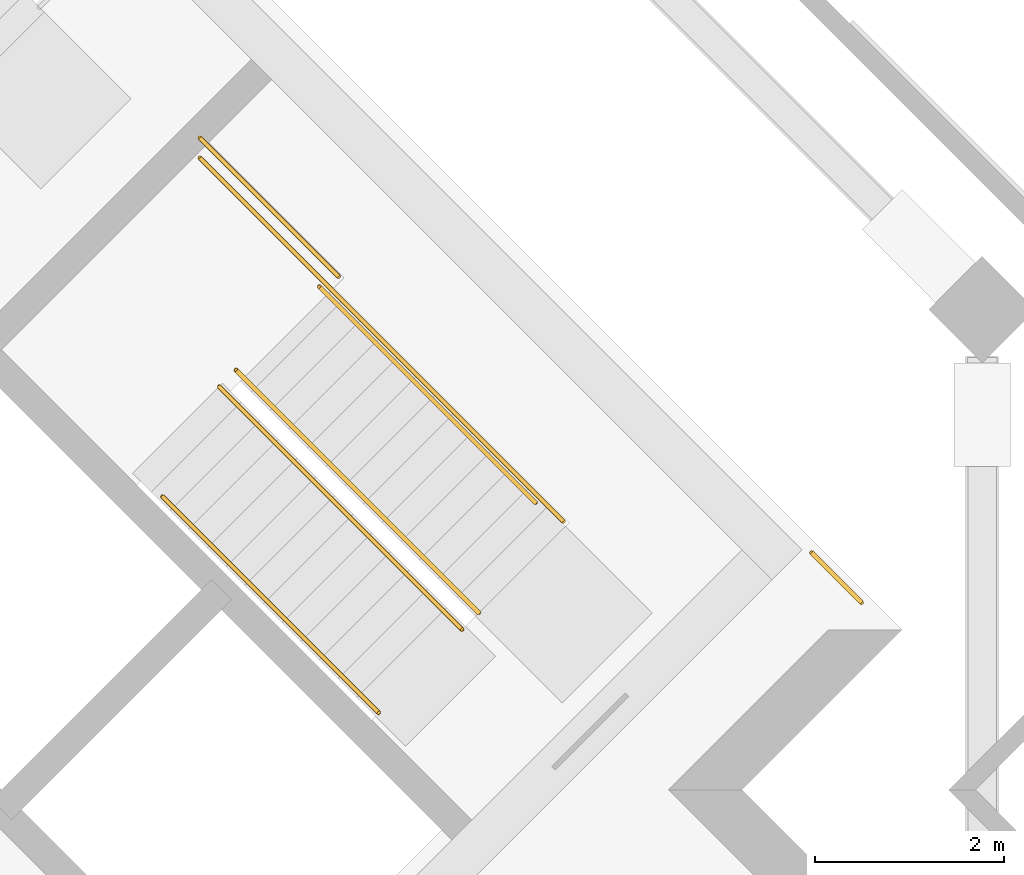
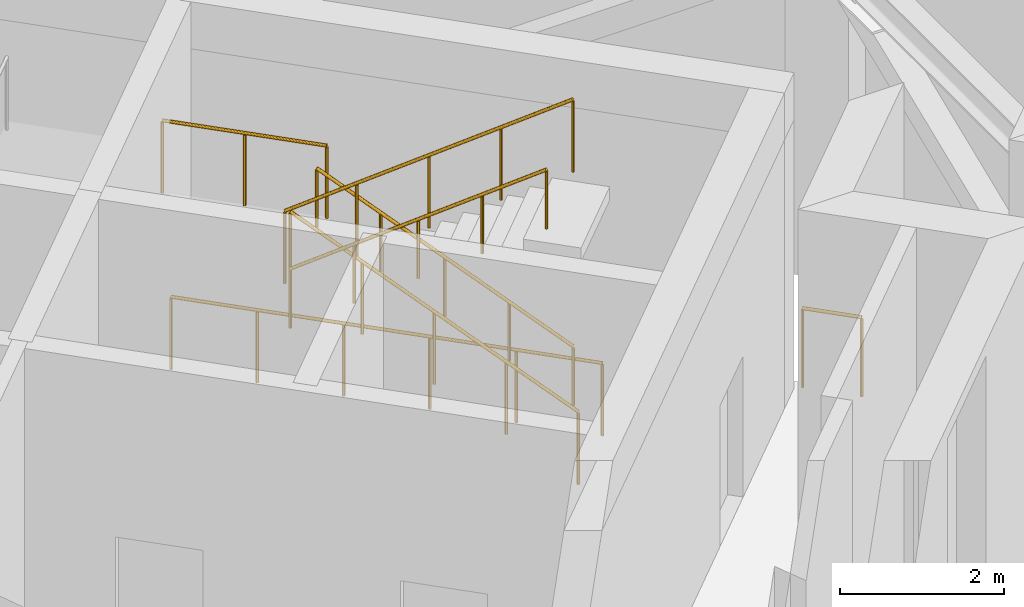
# One storey, part 9 of 9: 7 railings.
"""IFC4 building model written with IfcOpenShell, lengths in metres."""

from ifc_helpers import new_model, si_unit, direction, frame, origin, origin_2d, place, context, subcontext, project, spatial, circle, extrude, material, type_object, element, save


model = new_model("IFC4")

# Units and contexts
model_context = context("Model", 3, precision=1e-05, world=origin(), true_north=direction((0.0, 1.0)))
body_context = subcontext(model_context, "Body", "Model", "MODEL_VIEW")
ifc_project = project(units=[si_unit("LENGTHUNIT", "METRE"), si_unit("AREAUNIT", "SQUARE_METRE"), si_unit("VOLUMEUNIT", "CUBIC_METRE"), si_unit("PLANEANGLEUNIT", "RADIAN"), si_unit("MASSUNIT", "GRAM", prefix="KILO")], contexts=[model_context])

# Site, building, storey
site_placement = place(None, origin())
site = spatial("IfcSite", under=ifc_project, at=site_placement, CompositionType="ELEMENT")
building_placement = place(site_placement, origin())
building = spatial("IfcBuilding", under=site, at=building_placement, Name="Windrow Commons", CompositionType="ELEMENT")
storey_placement = place(building_placement, frame((0.0, 0.0, 234.6)))
storey = spatial("IfcBuildingStorey", under=building, at=storey_placement, Name="L64", CompositionType="ELEMENT", Elevation=234.6)

# Railings
ifc_material_1 = material(Name="Steel S355", Category="steel")
railing_type_1 = type_object("IfcRailingType", Name="Core stair guard 1100", PredefinedType="GUARDRAIL", material=ifc_material_1)
railing_1_placement = place(storey_placement, frame((94.2296, 48.4215, 0.1786)))
element("IfcRailing", 1, at=railing_1_placement, inside=storey, type_object=railing_type_1, Name="L64 ST-B2 stair guard 1", PredefinedType="GUARDRAIL", context=body_context, shape_type="SweptSolid", body=[
    extrude(circle(Radius=0.024, at=origin_2d()), frame((0.0, 0.0, 1.076), z_axis=(-0.5961869402, 0.5961869402, 0.5377009064), x_axis=(-0.7071067812, -0.7071067812, 0.0)), (0.0, 0.0, 1.0), 4.3173),
    extrude(circle(Radius=0.021, at=origin_2d()), origin(), (0.0, 0.0, 1.0), 1.052),
    extrude(circle(Radius=0.021, at=origin_2d()), frame((-0.6435, 0.6435, 0.5803)), (0.0, 0.0, 1.0), 1.052),
    extrude(circle(Radius=0.021, at=origin_2d()), frame((-1.287, 1.2869, 1.1607)), (0.0, 0.0, 1.0), 1.052),
    extrude(circle(Radius=0.021, at=origin_2d()), frame((-1.9304, 1.9304, 1.741)), (0.0, 0.0, 1.0), 1.052),
    extrude(circle(Radius=0.021, at=origin_2d()), frame((-2.5739, 2.5739, 2.3214)), (0.0, 0.0, 1.0), 1.052),
])
railing_2_placement = place(storey_placement, frame((91.4789, 50.8186, 2.6786)))
element("IfcRailing", 2, at=railing_2_placement, inside=storey, type_object=railing_type_1, Name="L64 ST-B2 stair guard 2", PredefinedType="GUARDRAIL", context=body_context, shape_type="SweptSolid", body=[
    extrude(circle(Radius=0.024, at=origin_2d()), frame((0.0, 0.0, 1.076), z_axis=(0.5961869402, -0.5961869402, 0.5377009064), x_axis=(0.7071067812, 0.7071067812, 0.0)), (0.0, 0.0, 1.0), 4.3173),
    extrude(circle(Radius=0.021, at=origin_2d()), origin(), (0.0, 0.0, 1.0), 1.052),
    extrude(circle(Radius=0.021, at=origin_2d()), frame((0.6435, -0.6435, 0.5803)), (0.0, 0.0, 1.0), 1.052),
    extrude(circle(Radius=0.021, at=origin_2d()), frame((1.287, -1.287, 1.1607)), (0.0, 0.0, 1.0), 1.052),
    extrude(circle(Radius=0.021, at=origin_2d()), frame((1.9304, -1.9304, 1.741)), (0.0, 0.0, 1.0), 1.052),
    extrude(circle(Radius=0.021, at=origin_2d()), frame((2.5739, -2.5739, 2.3214)), (0.0, 0.0, 1.0), 1.052),
])
railing_3_placement = place(storey_placement, frame((95.1276, 49.3903, 0.0)))
element("IfcRailing", 3, at=railing_3_placement, inside=storey, type_object=railing_type_1, Name="L64 ST-B2 stair guard 3", PredefinedType="GUARDRAIL", context=body_context, shape_type="SweptSolid", body=[
    extrude(circle(Radius=0.024, at=origin_2d()), frame((0.0, 0.0, 1.076), z_axis=(-0.7071159554, 0.7070976069, 0.0), x_axis=(-0.7070976069, -0.7071159554, 0.0)), (0.0, 0.0, 1.0), 5.45),
    extrude(circle(Radius=0.021, at=origin_2d()), origin(), (0.0, 0.0, 1.0), 1.052),
    extrude(circle(Radius=0.021, at=origin_2d()), frame((-0.7708, 0.7707, 0.0)), (0.0, 0.0, 1.0), 1.052),
    extrude(circle(Radius=0.021, at=origin_2d()), frame((-1.5415, 1.5415, 0.0)), (0.0, 0.0, 1.0), 1.052),
    extrude(circle(Radius=0.021, at=origin_2d()), frame((-2.3123, 2.3122, 0.0)), (0.0, 0.0, 1.0), 1.052),
    extrude(circle(Radius=0.021, at=origin_2d()), frame((-3.083, 3.083, 0.0)), (0.0, 0.0, 1.0), 1.052),
    extrude(circle(Radius=0.021, at=origin_2d()), frame((-3.8538, 3.8537, 0.0)), (0.0, 0.0, 1.0), 1.052),
])
railing_4_placement = place(storey_placement, frame((92.7446, 51.9853, 2.5)))
element("IfcRailing", 4, at=railing_4_placement, inside=storey, type_object=railing_type_1, Name="L64 ST-B2 stair guard 4", PredefinedType="GUARDRAIL", context=body_context, shape_type="SweptSolid", body=[
    extrude(circle(Radius=0.024, at=origin_2d()), frame((0.0, 0.0, 1.076), z_axis=(-0.7071067812, 0.7071067812, 0.0), x_axis=(-0.7071067812, -0.7071067812, 0.0)), (0.0, 0.0, 1.0), 2.08),
    extrude(circle(Radius=0.021, at=origin_2d()), origin(), (0.0, 0.0, 1.0), 1.052),
    extrude(circle(Radius=0.021, at=origin_2d()), frame((-0.7354, 0.7354, 0.0)), (0.0, 0.0, 1.0), 1.052),
    extrude(circle(Radius=0.021, at=origin_2d()), frame((-1.4708, 1.4708, 0.0)), (0.0, 0.0, 1.0), 1.052),
])
ifc_material_2 = material(Name="Steel S355", Category="steel")
railing_type_2 = type_object("IfcRailingType", Name="Core stair handrail 900", PredefinedType="HANDRAIL", material=ifc_material_2)
railing_5_placement = place(storey_placement, frame((94.8306, 49.5883, 0.4337)))
element("IfcRailing", 5, at=railing_5_placement, inside=storey, type_object=railing_type_2, Name="L64 ST-B2 stair handrail 1", PredefinedType="HANDRAIL", context=body_context, shape_type="SweptSolid", body=[
    extrude(circle(Radius=0.024, at=origin_2d()), frame((0.0, 0.0, 0.876), z_axis=(-0.5961829806, 0.5961829806, 0.5377096869), x_axis=(-0.7071067812, -0.7071067812, 0.0)), (0.0, 0.0, 1.0), 3.8428),
    extrude(circle(Radius=0.021, at=origin_2d()), origin(), (0.0, 0.0, 1.0), 0.852),
    extrude(circle(Radius=0.021, at=origin_2d()), frame((-0.5728, 0.5728, 0.5166)), (0.0, 0.0, 1.0), 0.852),
    extrude(circle(Radius=0.021, at=origin_2d()), frame((-1.1455, 1.1455, 1.0331)), (0.0, 0.0, 1.0), 0.852),
    extrude(circle(Radius=0.021, at=origin_2d()), frame((-1.7183, 1.7183, 1.5497)), (0.0, 0.0, 1.0), 0.852),
    extrude(circle(Radius=0.021, at=origin_2d()), frame((-2.291, 2.291, 2.0663)), (0.0, 0.0, 1.0), 0.852),
])
railing_6_placement = place(storey_placement, frame((90.8779, 49.6519, 2.9337)))
element("IfcRailing", 6, at=railing_6_placement, inside=storey, type_object=railing_type_2, Name="L64 ST-B2 stair handrail 2", PredefinedType="HANDRAIL", context=body_context, shape_type="SweptSolid", body=[
    extrude(circle(Radius=0.024, at=origin_2d()), frame((0.0, 0.0, 0.876), z_axis=(0.5961829806, -0.5961829806, 0.5377096869), x_axis=(0.7071067812, 0.7071067812, 0.0)), (0.0, 0.0, 1.0), 3.8428),
    extrude(circle(Radius=0.021, at=origin_2d()), origin(), (0.0, 0.0, 1.0), 0.852),
    extrude(circle(Radius=0.021, at=origin_2d()), frame((0.5727, -0.5727, 0.5166)), (0.0, 0.0, 1.0), 0.852),
    extrude(circle(Radius=0.021, at=origin_2d()), frame((1.1455, -1.1455, 1.0331)), (0.0, 0.0, 1.0), 0.852),
    extrude(circle(Radius=0.021, at=origin_2d()), frame((1.7182, -1.7182, 1.5497)), (0.0, 0.0, 1.0), 0.852),
    extrude(circle(Radius=0.021, at=origin_2d()), frame((2.291, -2.291, 2.0663)), (0.0, 0.0, 1.0), 0.852),
])
ifc_material_3 = material(Name="Stainless steel S316 balustrade with toughened glass infill", Category="steel")
railing_type_3 = type_object("IfcRailingType", Name="Terrace guard 1200 podium", PredefinedType="BALUSTRADE", material=ifc_material_3)
railing_7_placement = place(storey_placement, frame((97.7558, 49.0601, 0.0)))
element("IfcRailing", 7, at=railing_7_placement, inside=storey, type_object=railing_type_3, Name="Guard FL-L64.C217", PredefinedType="BALUSTRADE", context=body_context, shape_type="SweptSolid", body=[
    extrude(circle(Radius=0.025, at=origin_2d()), frame((0.0, 0.0, 1.175), z_axis=(0.7071067812, -0.7071067812, 0.0), x_axis=(0.7071067812, 0.7071067812, 0.0)), (0.0, 0.0, 1.0), 0.7504),
    extrude(circle(Radius=0.02, at=origin_2d()), origin(), (0.0, 0.0, 1.0), 1.15),
    extrude(circle(Radius=0.02, at=origin_2d()), frame((0.5306, -0.5306, 0.0)), (0.0, 0.0, 1.0), 1.15),
])

save(model, "model.ifc")
